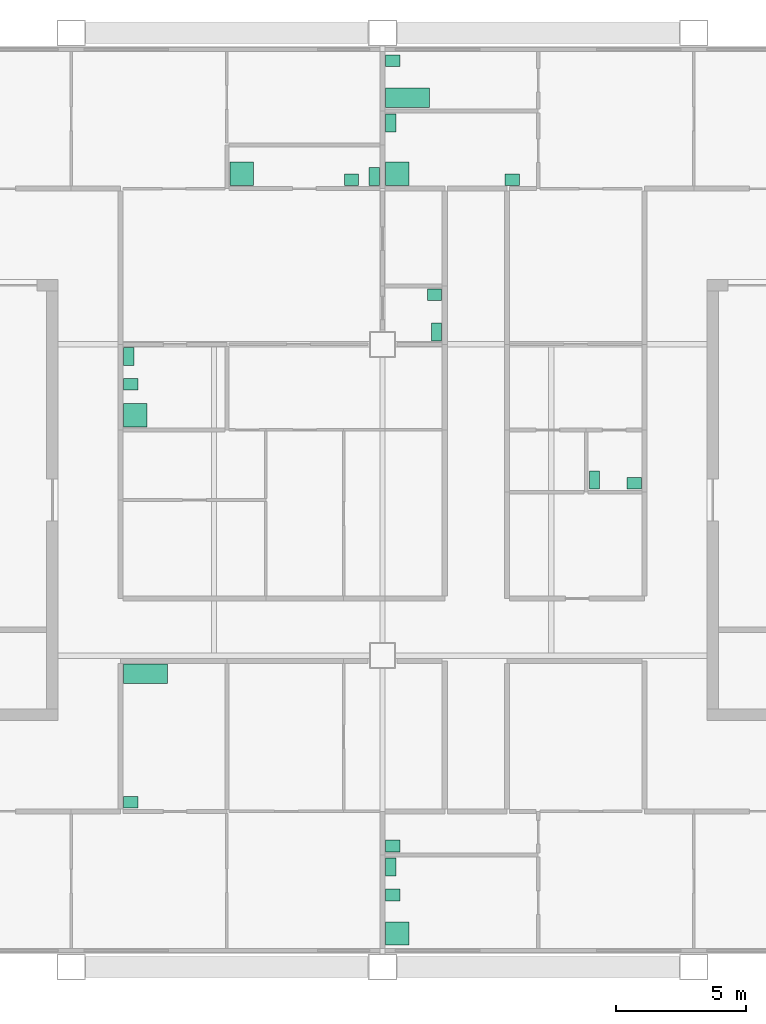
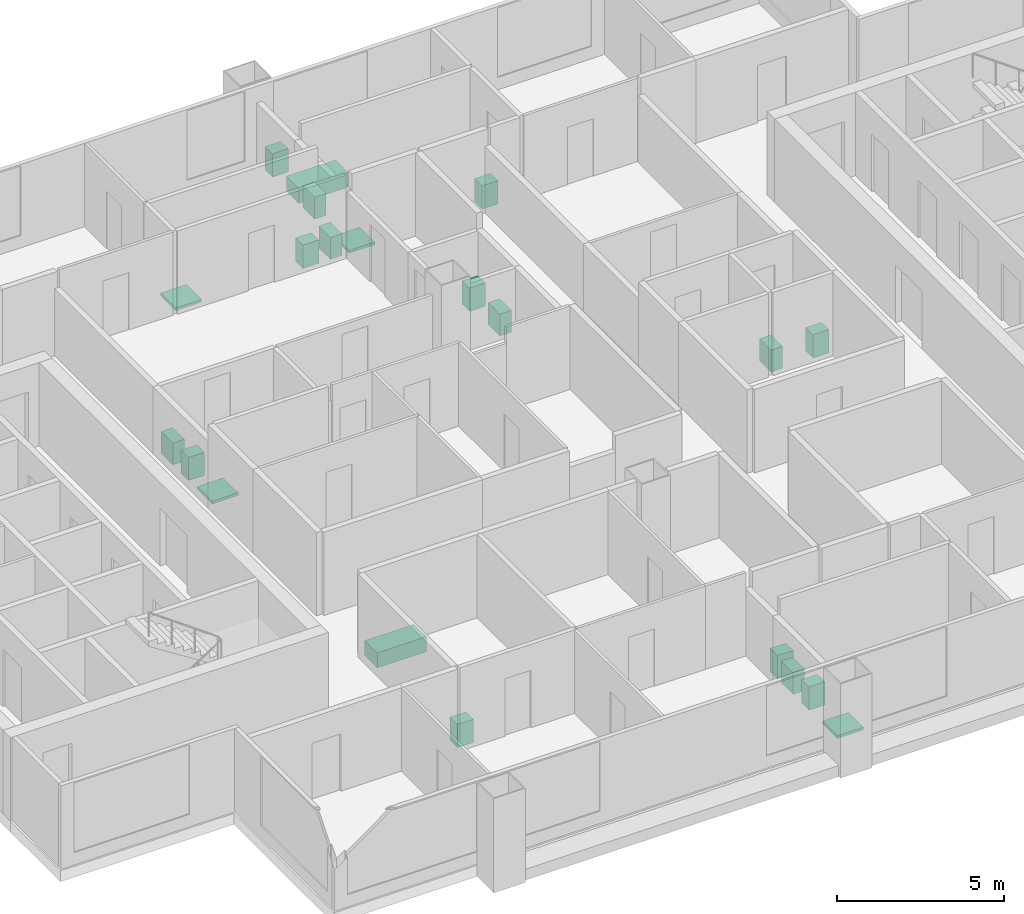
# One storey, part 9 of 9: 21 sanitary terminals.
"""IFC4 building model written with IfcOpenShell, lengths in metres."""

import ifcopenshell
import ifcopenshell.guid

model = None  # the IFC model being written
_history = None  # IfcOwnerHistory: only IFC2X3 demands one
_inside = {}  # id of a spatial element -> (the spatial element, [elements in it])
_under = {}  # id of a project, library or spatial element -> (it, [spatial elements below it])
_declared = {}  # id of a project -> (the project, [libraries it declares])
_typed = {}  # id of a type object -> (the type object, [elements of that type])
_made_of = {}  # id of a material, layer set ... -> (it, [elements and type objects made of it])


def new_model(schema):
    """Start an empty IFC model of exactly this schema.

    Asked for "IFC4X3", IfcOpenShell would pick the latest addendum, in which some entities
    have other attributes; the version numbers below select the first issue.
    IFC2X3 requires an IfcOwnerHistory on every rooted entity: one is made here for all.
    """
    global model, _history
    if schema == "IFC4X3":
        model = ifcopenshell.file(schema_version=(4, 3, 0, 0))
    else:
        model = ifcopenshell.file(schema=schema)
    _inside.clear()
    _under.clear()
    _declared.clear()
    _typed.clear()
    _made_of.clear()
    _history = None
    if model.schema == "IFC2X3":
        org = make("IfcOrganization", Name="unknown")
        user = make(
            "IfcPersonAndOrganization",
            ThePerson=make("IfcPerson", FamilyName="unknown"),
            TheOrganization=org,
        )
        app = make(
            "IfcApplication",
            ApplicationDeveloper=org,
            Version="unknown",
            ApplicationFullName="unknown",
            ApplicationIdentifier="unknown",
        )
        _history = make(
            "IfcOwnerHistory",
            OwningUser=user,
            OwningApplication=app,
            ChangeAction="ADDED",
            CreationDate=0,
        )
    return model


def make(cls, **values):
    """One entity of the class cls with the attributes given. An attribute that is None is left unset."""
    return model.create_entity(
        cls, **{name: value for name, value in values.items() if value is not None}
    )


def rooted(cls, **values):
    """An entity with a GlobalId (a new one), such as an element, a storey or a relation."""
    return make(cls, GlobalId=ifcopenshell.guid.new(), OwnerHistory=_history, **values)


def si_unit(unit_type, name, prefix=None):
    """IfcSIUnit, for example si_unit("LENGTHUNIT", "METRE", prefix="MILLI")."""
    return make("IfcSIUnit", UnitType=unit_type, Prefix=prefix, Name=name)


def assignment(units):
    """IfcUnitAssignment: the units of a project."""
    return None if units is None else make("IfcUnitAssignment", Units=units)


def point(xyz):
    """IfcCartesianPoint."""
    return None if xyz is None else make("IfcCartesianPoint", Coordinates=xyz)


def direction(xyz):
    """IfcDirection."""
    return None if xyz is None else make("IfcDirection", DirectionRatios=xyz)


def frame(location, z_axis=None, x_axis=None):
    """IfcAxis2Placement3D, a coordinate frame: its origin and axes. An axis left out is left unset."""
    return make(
        "IfcAxis2Placement3D",
        Location=point(location),
        Axis=direction(z_axis),
        RefDirection=direction(x_axis),
    )


def frame_2d(location, x_axis=None):
    """IfcAxis2Placement2D, a coordinate frame in the plane: its origin and x axis."""
    return make(
        "IfcAxis2Placement2D", Location=point(location), RefDirection=direction(x_axis)
    )


def origin():
    """The frame at (0, 0, 0) with its axes left unset."""
    return frame((0.0, 0.0, 0.0))


def origin_2d():
    """The frame at (0, 0) in the plane with its x axis left unset."""
    return frame_2d((0.0, 0.0))


def place(relative_to, where):
    """IfcLocalPlacement: puts the frame where relative to a parent placement (None: the world)."""
    return make(
        "IfcLocalPlacement", PlacementRelTo=relative_to, RelativePlacement=where
    )


def context(
    kind, dimensions, precision=None, world=None, true_north=None, identifier=None
):
    """IfcGeometricRepresentationContext, for example the 3D "Model" context."""
    return make(
        "IfcGeometricRepresentationContext",
        ContextIdentifier=identifier,
        ContextType=kind,
        CoordinateSpaceDimension=dimensions,
        Precision=precision,
        WorldCoordinateSystem=world,
        TrueNorth=true_north,
    )


def subcontext(parent, identifier, kind, view, scale=None):
    """IfcGeometricRepresentationSubContext, for example "Body" below "Model"."""
    return make(
        "IfcGeometricRepresentationSubContext",
        ContextIdentifier=identifier,
        ContextType=kind,
        ParentContext=parent,
        TargetScale=scale,
        TargetView=view,
    )


def project(units=None, contexts=None):
    """IfcProject with its units and contexts."""
    return rooted(
        "IfcProject",
        Name="project",
        RepresentationContexts=contexts,
        UnitsInContext=assignment(units),
    )


def spatial(cls, under=None, at=None, **own):
    """A site, building, storey or space (cls), placed at a placement, below another one or the project."""
    s = rooted(cls, ObjectPlacement=at, **own)
    if under is not None:
        _under.setdefault(under.id(), (under, []))[1].append(s)
    return s


def profile(cls, at=None, kind="AREA", **sizes):
    """A parametric profile (cls). Its sizes go by their IFC names, for example OverallWidth=200.0."""
    return make(cls, ProfileType=kind, Position=at, **sizes)


def rectangle(**sizes):
    """IfcRectangleProfileDef."""
    return profile("IfcRectangleProfileDef", **sizes)


def extrude(swept, where, along, depth):
    """IfcExtrudedAreaSolid: the profile swept, set in the frame where, extruded along a direction by depth."""
    return make(
        "IfcExtrudedAreaSolid",
        SweptArea=swept,
        Position=where,
        ExtrudedDirection=direction(along),
        Depth=depth,
    )


def shape(context_of_items, identifier, shape_type, items):
    """IfcShapeRepresentation: the items that make up one representation, for example the "Body"."""
    return make(
        "IfcShapeRepresentation",
        ContextOfItems=context_of_items,
        RepresentationIdentifier=identifier,
        RepresentationType=shape_type,
        Items=items,
    )


def material(Name=None, Category=None):
    """IfcMaterial."""
    return make("IfcMaterial", Name=Name, Category=Category)


def made_of(thing, what):
    """Note that an element or type object is made of a material, layer set ...; save() writes the relation."""
    if what is not None:
        _made_of.setdefault(what.id(), (what, []))[1].append(thing)
    return thing


def type_object(cls, material=None, **own):
    """A type object (cls), such as IfcWallType, which elements share."""
    return made_of(rooted(cls, **own), material)


def element(
    cls,
    number,
    at=None,
    inside=None,
    cuts=None,
    type_object=None,
    material=None,
    context=None,
    identifier="Body",
    shape_type=None,
    held_by="IfcProductDefinitionShape",
    body=None,
    shapes=None,
    **own,
):
    """One element of the class cls, such as IfcWall. Its Tag is "e" and its number.

    at: its placement. inside: the storey or other place that contains it. cuts: it is an
    opening in that element (IfcRelVoidsElement). A single representation is given by context,
    identifier, shape_type and body (its items); several are given by shapes. held_by: the class
    of the entity that holds the representations. save() writes the other relations.
    """
    e = rooted(cls, Tag="e%d" % number, ObjectPlacement=at, **own)
    if body is not None:
        shapes = [shape(context, identifier, shape_type, body)]
    if shapes is not None:
        e.Representation = make(held_by, Representations=shapes)
    if inside is not None:
        _inside.setdefault(inside.id(), (inside, []))[1].append(e)
    if cuts is not None:
        rooted(
            "IfcRelVoidsElement", RelatingBuildingElement=cuts, RelatedOpeningElement=e
        )
    if type_object is not None:
        _typed.setdefault(type_object.id(), (type_object, []))[1].append(e)
    return made_of(e, material)


def aggregate(whole, parts):
    """IfcRelAggregates: a whole, such as a stair, and the parts it consists of."""
    return rooted("IfcRelAggregates", RelatingObject=whole, RelatedObjects=parts)


def save(model, path):
    """Write the relations noted so far, then the file.

    IfcRelAggregates (storeys below a building ...), IfcRelContainedInSpatialStructure (elements
    in a storey), IfcRelDefinesByType, IfcRelAssociatesMaterial and IfcRelDeclares: one each for
    every whole, place, type object, material and project.
    """
    for whole, parts in _under.values():
        aggregate(whole, parts)
    for where, things in _inside.values():
        rooted(
            "IfcRelContainedInSpatialStructure",
            RelatedElements=things,
            RelatingStructure=where,
        )
    for kind, things in _typed.values():
        rooted("IfcRelDefinesByType", RelatedObjects=things, RelatingType=kind)
    for what, things in _made_of.values():
        rooted("IfcRelAssociatesMaterial", RelatedObjects=things, RelatingMaterial=what)
    for by, libraries in _declared.values():
        rooted("IfcRelDeclares", RelatingContext=by, RelatedDefinitions=libraries)
    model.write(path)


model = new_model("IFC4")

# Units and contexts
model_context = context("Model", 3, precision=1e-05, world=origin(), true_north=direction((0.0, 1.0)))
body_context = subcontext(model_context, "Body", "Model", "MODEL_VIEW")
ifc_project = project(units=[si_unit("LENGTHUNIT", "METRE"), si_unit("AREAUNIT", "SQUARE_METRE"), si_unit("VOLUMEUNIT", "CUBIC_METRE"), si_unit("PLANEANGLEUNIT", "RADIAN"), si_unit("MASSUNIT", "GRAM", prefix="KILO")], contexts=[model_context])

# Site, building, storey
site_placement = place(None, origin())
site = spatial("IfcSite", under=ifc_project, at=site_placement, CompositionType="ELEMENT")
building_placement = place(site_placement, origin())
building = spatial("IfcBuilding", under=site, at=building_placement, Name="Kitamizu Gate Tower and Museum", CompositionType="ELEMENT")
storey_placement = place(building_placement, frame((0.0, 0.0, 224.85009765625)))
storey = spatial("IfcBuildingStorey", under=building, at=storey_placement, Name="L60", CompositionType="ELEMENT", Elevation=224.85009765625)

# Sanitary terminals
ifc_material_1 = material(Name="Acrylic")
sanitary_terminal_type_1 = type_object("IfcSanitaryTerminalType", Name="Bath", PredefinedType="BATH", material=ifc_material_1)
for number, where, z_axis, x_axis, name in (
    (1, (26.8701171875, 23.304931640625, 0.0009765625), (0.0, 0.0, 1.0), (1.0, 0.0, 0.0), "Bath Bathroom and WC 60A"),
    (2, (36.969970703125, 45.4951171875, 0.0009765625), (0.0, 0.0, 1.0), (1.0, 0.0, 0.0), "Bath Bathroom 60D"),
):
    element("IfcSanitaryTerminal", number, at=place(storey_placement, frame(where, z_axis=z_axis, x_axis=x_axis)), inside=storey, type_object=sanitary_terminal_type_1, Name=name, PredefinedType="BATH", context=body_context, shape_type="SweptSolid", body=[
        extrude(rectangle(XDim=1.699951171875, YDim=0.75, at=origin_2d()), origin(), (0.0, 0.0, 1.0), 0.550048828125),
    ])
ifc_material_2 = material(Name="Acrylic")
sanitary_terminal_type_2 = type_object("IfcSanitaryTerminalType", Name="Shower tray", PredefinedType="SHOWER", material=ifc_material_2)
for number, where, z_axis, x_axis, name in (
    (3, (36.570068359375, 13.2900390625, 0.000732421875), (0.0, 0.0, 1.0), (1.0, 0.0, 0.0), "Shower tray En-suite bathroom and WC 60B"),
    (4, (30.570068359375, 42.570068359375, 0.000732421875), (0.0, 0.0, 1.0), (1.0, 0.0, 0.0), "Shower tray En-suite bathroom 60C"),
    (5, (26.469970703125, 33.27001953125, 0.000732421875), (0.0, 0.0, 1.0), (1.0, 0.0, 0.0), "Shower tray En-suite bathroom 60C"),
    (6, (36.570068359375, 42.570068359375, 0.000732421875), (0.0, 0.0, 1.0), (1.0, 0.0, 0.0), "Shower tray En-suite bathroom 60D"),
):
    element("IfcSanitaryTerminal", number, at=place(storey_placement, frame(where, z_axis=z_axis, x_axis=x_axis)), inside=storey, type_object=sanitary_terminal_type_2, Name=name, PredefinedType="SHOWER", context=body_context, shape_type="SweptSolid", body=[
        extrude(rectangle(XDim=0.89990234375, YDim=0.89990234375, at=origin_2d()), origin(), (0.0, 0.0, 1.0), 0.10009765625),
    ])
ifc_material_3 = material(Name="Vitreous china")
sanitary_terminal_type_3 = type_object("IfcSanitaryTerminalType", Name="Wash hand basin", PredefinedType="WASHHANDBASIN", material=ifc_material_3)
for number, where, z_axis, x_axis, name in (
    (7, (26.294921875, 18.344970703125, 0.000732421875), (0.0, 0.0, 1.0), (1.0, 0.0, 0.0), "Wash hand basin Bathroom and WC 60A"),
    (8, (36.39501953125, 14.77490234375, 0.000732421875), (0.0, 0.0, 1.0), (1.0, 0.0, 0.0), "Wash hand basin En-suite bathroom and WC 60B"),
    (9, (36.39501953125, 16.6650390625, 0.000732421875), (0.0, 0.0, 1.0), (1.0, 0.0, 0.0), "Wash hand basin Wash room 60B"),
    (10, (34.804931640625, 42.344970703125, 0.000732421875), (0.0, 0.0, 1.0), (1.0, 0.0, 0.0), "Wash hand basin En-suite bathroom 60C"),
    (11, (38.0048828125, 37.905029296875, 0.000732421875), (0.0, 0.0, 1.0), (1.0, 0.0, 0.0), "Wash hand basin WC 60C"),
    (12, (26.294921875, 34.455078125, 0.000732421875), (0.0, 0.0, 1.0), (1.0, 0.0, 0.0), "Wash hand basin En-suite bathroom 60C"),
    (13, (41.0048828125, 42.344970703125, 0.000732421875), (0.0, 0.0, 1.0), (1.0, 0.0, 0.0), "Wash hand basin En-suite bathroom 60D"),
    (14, (36.39501953125, 46.93505859375, 0.000732421875), (0.0, 0.0, 1.0), (1.0, 0.0, 0.0), "Wash hand basin Bathroom 60D"),
    (15, (45.705078125, 30.64501953125, 0.000732421875), (0.0, 0.0, 1.0), (1.0, 0.0, 0.0), "Wash hand basin WC 60D"),
):
    element("IfcSanitaryTerminal", number, at=place(storey_placement, frame(where, z_axis=z_axis, x_axis=x_axis)), inside=storey, type_object=sanitary_terminal_type_3, Name=name, PredefinedType="WASHHANDBASIN", context=body_context, shape_type="SweptSolid", body=[
        extrude(rectangle(XDim=0.550048828125, YDim=0.449951171875, at=origin_2d()), origin(), (0.0, 0.0, 1.0), 0.85009765625),
    ])
ifc_material_4 = material(Name="Vitreous china")
sanitary_terminal_type_4 = type_object("IfcSanitaryTerminalType", Name="Water closet", PredefinedType="TOILETPAN", material=ifc_material_4)
for number, where, z_axis, x_axis, name in (
    (16, (36.320068359375, 15.85009765625, 0.0009765625), (0.0, 0.0, 1.0), (1.0, 0.0, 0.0), "Water closet En-suite bathroom and WC 60B"),
    (17, (35.679931640625, 42.469970703125, 0.0009765625), (0.0, 0.0, 1.0), (1.0, 0.0, 0.0), "Water closet En-suite bathroom 60C"),
    (18, (38.080078125, 36.469970703125, 0.0009765625), (0.0, 0.0, 1.0), (1.0, 0.0, 0.0), "Water closet WC 60C"),
    (19, (26.219970703125, 35.530029296875, 0.0009765625), (0.0, 0.0, 1.0), (1.0, 0.0, 0.0), "Water closet En-suite bathroom 60C"),
    (20, (36.320068359375, 44.530029296875, 0.0009765625), (0.0, 0.0, 1.0), (1.0, 0.0, 0.0), "Water closet En-suite bathroom 60D"),
    (21, (44.169921875, 30.77001953125, 0.0009765625), (0.0, 0.0, 1.0), (1.0, 0.0, 0.0), "Water closet WC 60D"),
):
    element("IfcSanitaryTerminal", number, at=place(storey_placement, frame(where, z_axis=z_axis, x_axis=x_axis)), inside=storey, type_object=sanitary_terminal_type_4, Name=name, PredefinedType="TOILETPAN", context=body_context, shape_type="SweptSolid", body=[
        extrude(rectangle(XDim=0.39990234375, YDim=0.699951171875, at=origin_2d()), origin(), (0.0, 0.0, 1.0), 0.800048828125),
    ])

save(model, "model.ifc")
